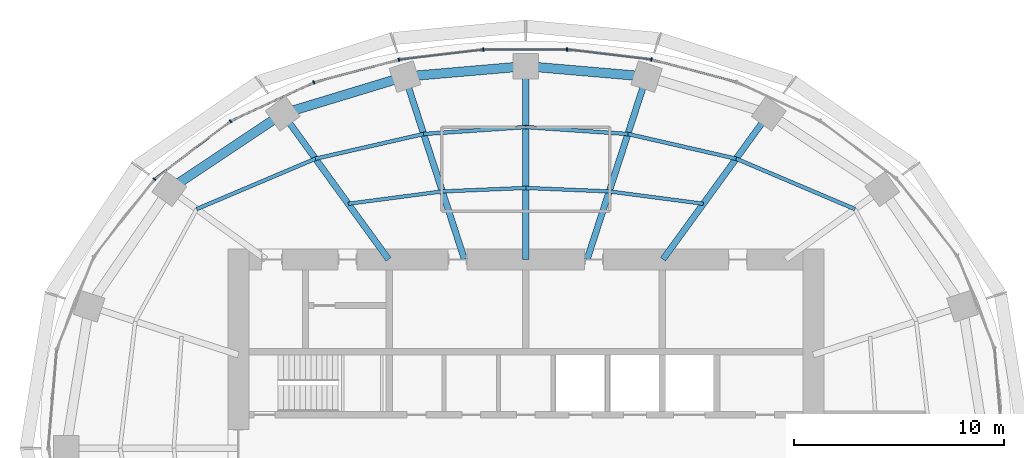
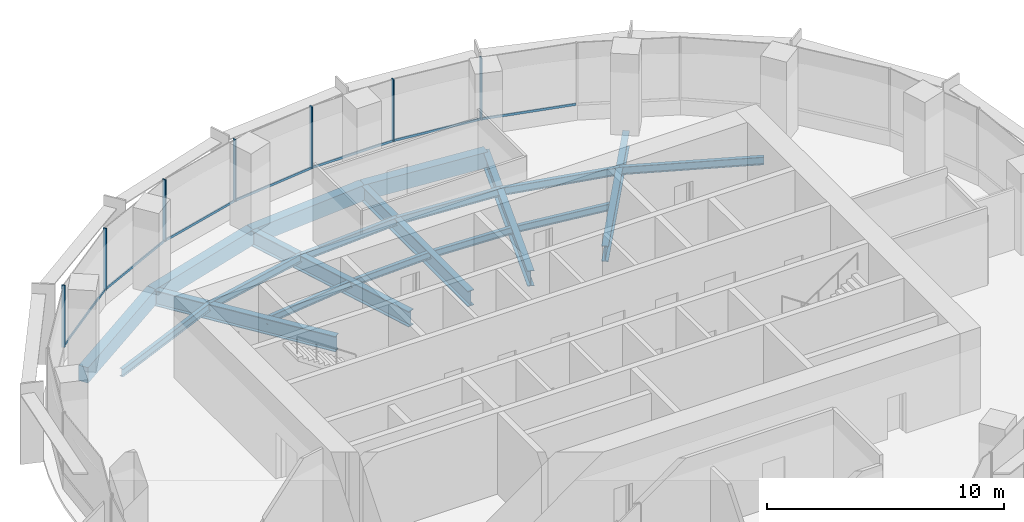
# One storey, part 6 of 13: 19 beams, 14 members, 2 elements without a shape of their own.
"""IFC4 building model written with IfcOpenShell, lengths in metres."""

from ifc_helpers import new_model, si_unit, direction, frame, origin, origin_2d, place, context, subcontext, project, spatial, rectangle, i_section, extrude, material, material_profile, profile_set, type_object, element, aggregate, save


model = new_model("IFC4")

# Units and contexts
model_context = context("Model", 3, precision=1e-05, world=origin(), true_north=direction((0.0, 1.0)))
body_context = subcontext(model_context, "Body", "Model", "MODEL_VIEW")
ifc_project = project(units=[si_unit("LENGTHUNIT", "METRE"), si_unit("AREAUNIT", "SQUARE_METRE"), si_unit("VOLUMEUNIT", "CUBIC_METRE"), si_unit("PLANEANGLEUNIT", "RADIAN"), si_unit("MASSUNIT", "GRAM", prefix="KILO")], contexts=[model_context])

# Site, building, storey
site_placement = place(None, origin())
site = spatial("IfcSite", under=ifc_project, at=site_placement, CompositionType="ELEMENT")
building_placement = place(site_placement, origin())
building = spatial("IfcBuilding", under=site, at=building_placement, Name="Marramba Exchange Tower", CompositionType="ELEMENT")
storey_placement = place(building_placement, frame((0.0, 0.0, 272.800048828125)))
storey = spatial("IfcBuildingStorey", under=building, at=storey_placement, Name="L66", CompositionType="ELEMENT", Elevation=272.800048828125)

# Curtain wall, members
ifc_material_1 = material(Name="Aluminium framing, bronze anodised", Category="aluminium")
curtain_wall_type = type_object("IfcCurtainWallType", Name="Executive floor ribbon curtain wall", PredefinedType="USERDEFINED", material=ifc_material_1)
curtain_wall_1_placement = place(storey_placement, origin())
curtain_wall_1 = element("IfcCurtainWall", 1, at=curtain_wall_1_placement, inside=storey, type_object=curtain_wall_type, Name="Curtain wall CW5 L66 F06-F10", ObjectType="RIBBON CURTAIN WALL", PredefinedType="USERDEFINED")
ifc_material_2 = material(Name="Aluminium mullion, bronze anodised", Category="aluminium")
ifc_material_profile_1 = material_profile(ifc_material_2, rectangle(XDim=0.159912109375, YDim=0.06005859375, at=origin_2d()), Name="CW5 mullion 60x160")
ifc_profile_set_1 = profile_set([ifc_material_profile_1], Name="Aluminium mullion, bronze anodised")
member_type_1 = type_object("IfcMemberType", Name="Executive floor ribbon curtain wall mullion", PredefinedType="MULLION", material=ifc_profile_set_1)
member_1_placement = place(storey_placement, frame((5.98681640625, 18.5205078125, 0.800048828125), z_axis=(0.0, 0.0, 1.0), x_axis=(-0.118556954505, -0.992947253654, 0.0)))
member_1 = element("IfcMember", 2, at=member_1_placement, type_object=member_type_1, Name="CW5 mullion 1", PredefinedType="MULLION", context=body_context, shape_type="SweptSolid", body=[
    extrude(rectangle(XDim=0.159912109375, YDim=0.06005859375, at=origin_2d()), origin(), (0.0, 0.0, 1.0), 3.199951171875),
])
member_2_placement = place(storey_placement, frame((1.966552734375, 18.9970703125, 0.800048828125), z_axis=(0.0, 0.0, 1.0), x_axis=(0.0, -1.0, 0.0)))
member_2 = element("IfcMember", 3, at=member_2_placement, type_object=member_type_1, Name="CW5 mullion 1", PredefinedType="MULLION", context=body_context, shape_type="SweptSolid", body=[
    extrude(rectangle(XDim=0.159912109375, YDim=0.06005859375, at=origin_2d()), origin(), (0.0, 0.0, 1.0), 3.199951171875),
])
member_3_placement = place(storey_placement, frame((-2.0263671875, 18.993408203125, 0.800048828125), z_axis=(0.0, 0.0, 1.0), x_axis=(0.118556954505, -0.992947253654, 0.0)))
member_3 = element("IfcMember", 4, at=member_3_placement, type_object=member_type_1, Name="CW5 mullion 1", PredefinedType="MULLION", context=body_context, shape_type="SweptSolid", body=[
    extrude(rectangle(XDim=0.159912109375, YDim=0.06005859375, at=origin_2d()), origin(), (0.0, 0.0, 1.0), 3.199951171875),
])
member_4_placement = place(storey_placement, frame((-6.045654296875, 18.50927734375, 0.800048828125), z_axis=(0.0, 0.0, 1.0), x_axis=(0.256125574813, -0.966643517501, 0.0)))
member_4 = element("IfcMember", 5, at=member_4_placement, type_object=member_type_1, Name="CW5 mullion 1", PredefinedType="MULLION", context=body_context, shape_type="SweptSolid", body=[
    extrude(rectangle(XDim=0.159912109375, YDim=0.06005859375, at=origin_2d()), origin(), (0.0, 0.0, 1.0), 3.199951171875),
])

curtain_wall_2_placement = place(storey_placement, origin())
curtain_wall_2 = element("IfcCurtainWall", 6, at=curtain_wall_2_placement, inside=storey, type_object=curtain_wall_type, Name="Curtain wall CW5 L66 F11-F15", ObjectType="RIBBON CURTAIN WALL", PredefinedType="USERDEFINED")
member_5_placement = place(storey_placement, frame((-10.097900390625, 17.43017578125, 0.800048828125), z_axis=(0.0, 0.0, 1.0), x_axis=(0.420849274712, -0.90713057934, 0.0)))
member_5 = element("IfcMember", 7, at=member_5_placement, type_object=member_type_1, Name="CW5 mullion 1", PredefinedType="MULLION", context=body_context, shape_type="SweptSolid", body=[
    extrude(rectangle(XDim=0.159912109375, YDim=0.06005859375, at=origin_2d()), origin(), (0.0, 0.0, 1.0), 3.199951171875),
])
member_6_placement = place(storey_placement, frame((-14.069091796875, 15.58056640625, 0.800048828125), z_axis=(0.0, 0.0, 1.0), x_axis=(0.605219156516, -0.796058900199, 0.0)))
member_6 = element("IfcMember", 8, at=member_6_placement, type_object=member_type_1, Name="CW5 mullion 1", PredefinedType="MULLION", context=body_context, shape_type="SweptSolid", body=[
    extrude(rectangle(XDim=0.159912109375, YDim=0.06005859375, at=origin_2d()), origin(), (0.0, 0.0, 1.0), 3.199951171875),
])
member_7_placement = place(storey_placement, frame((-17.69189453125, 12.81689453125, 0.800048828125), z_axis=(0.0, 0.0, 1.0), x_axis=(0.786002861604, -0.618222857512, 0.0)))
member_7 = element("IfcMember", 9, at=member_7_placement, type_object=member_type_1, Name="CW5 mullion 1", PredefinedType="MULLION", context=body_context, shape_type="SweptSolid", body=[
    extrude(rectangle(XDim=0.159912109375, YDim=0.06005859375, at=origin_2d()), origin(), (0.0, 0.0, 1.0), 3.199951171875),
])

# Member
ifc_material_3 = material(Name="Aluminium transom, bronze anodised", Category="aluminium")
ifc_material_profile_2 = material_profile(ifc_material_3, rectangle(XDim=0.06005859375, YDim=0.1201171875, at=origin_2d()), Name="CW5 transom 60x120")
ifc_profile_set_2 = profile_set([ifc_material_profile_2], Name="Aluminium transom, bronze anodised")
member_type_2 = type_object("IfcMemberType", Name="Executive floor ribbon curtain wall transom", PredefinedType="USERDEFINED", material=ifc_profile_set_2)
member_8_placement = place(storey_placement, frame((10.0126953125, 17.458251953125, 0.829833984375), z_axis=(-0.966642465832, 0.256129543885, 0.0), x_axis=(-0.256129543885, -0.966642465832, 0.0)))
member_8 = element("IfcMember", 10, at=member_8_placement, type_object=member_type_2, Name="CW5 sill transom", ObjectType="TRANSOM", PredefinedType="USERDEFINED", context=body_context, shape_type="SweptSolid", body=[
    extrude(rectangle(XDim=0.06005859375, YDim=0.1201171875, at=origin_2d()), origin(), (0.0, 0.0, 1.0), 4.134033203125),
])

member_9_placement = place(storey_placement, frame((5.95703125, 18.524169921875, 0.829833984375), z_axis=(-0.992946470513, 0.118563513339, 0.0), x_axis=(-0.118563513339, -0.992946470513, 0.0)))
member_9 = element("IfcMember", 11, at=member_9_placement, type_object=member_type_2, Name="CW5 sill transom", ObjectType="TRANSOM", PredefinedType="USERDEFINED", context=body_context, shape_type="SweptSolid", body=[
    extrude(rectangle(XDim=0.06005859375, YDim=0.1201171875, at=origin_2d()), origin(), (0.0, 0.0, 1.0), 3.988525390625),
])

member_10_placement = place(storey_placement, frame((1.936767578125, 18.9970703125, 0.829833984375), z_axis=(-1.0, 0.0, 0.0), x_axis=(0.0, -1.0, 0.0)))
member_10 = element("IfcMember", 12, at=member_10_placement, type_object=member_type_2, Name="CW5 sill transom", ObjectType="TRANSOM", PredefinedType="USERDEFINED", context=body_context, shape_type="SweptSolid", body=[
    extrude(rectangle(XDim=0.06005859375, YDim=0.1201171875, at=origin_2d()), origin(), (0.0, 0.0, 1.0), 3.933349609375),
])

member_11_placement = place(storey_placement, frame((-2.05615234375, 18.98974609375, 0.829833984375), z_axis=(-0.992953674799, -0.11850316326, 0.0), x_axis=(0.11850316326, -0.992953674799, 0.0)))
member_11 = element("IfcMember", 13, at=member_11_placement, type_object=member_type_2, Name="CW5 sill transom", ObjectType="TRANSOM", PredefinedType="USERDEFINED", context=body_context, shape_type="SweptSolid", body=[
    extrude(rectangle(XDim=0.06005859375, YDim=0.1201171875, at=origin_2d()), origin(), (0.0, 0.0, 1.0), 3.988525390625),
])

member_12_placement = place(storey_placement, frame((-6.074462890625, 18.501708984375, 0.829833984375), z_axis=(-0.966642465832, -0.256129543885, 0.0), x_axis=(0.256129543885, -0.966642465832, 0.0)))
member_12 = element("IfcMember", 14, at=member_12_placement, type_object=member_type_2, Name="CW5 sill transom", ObjectType="TRANSOM", PredefinedType="USERDEFINED", context=body_context, shape_type="SweptSolid", body=[
    extrude(rectangle(XDim=0.06005859375, YDim=0.1201171875, at=origin_2d()), origin(), (0.0, 0.0, 1.0), 4.134033203125),
])

aggregate(curtain_wall_1, [member_8, member_1, member_9, member_2, member_10, member_3, member_11, member_4, member_12])

member_13_placement = place(storey_placement, frame((-10.125, 17.41748046875, 0.829833984375), z_axis=(-0.907139165053, -0.420830767919, 0.0), x_axis=(0.420830767919, -0.907139165053, 0.0)))
member_13 = element("IfcMember", 15, at=member_13_placement, type_object=member_type_2, Name="CW5 sill transom", ObjectType="TRANSOM", PredefinedType="USERDEFINED", context=body_context, shape_type="SweptSolid", body=[
    extrude(rectangle(XDim=0.06005859375, YDim=0.1201171875, at=origin_2d()), origin(), (0.0, 0.0, 1.0), 4.321533203125),
])

member_14_placement = place(storey_placement, frame((-14.093017578125, 15.5625, 0.829833984375), z_axis=(-0.796068041642, -0.605207132374, 0.0), x_axis=(0.605207132374, -0.796068041642, 0.0)))
member_14 = element("IfcMember", 16, at=member_14_placement, type_object=member_type_2, Name="CW5 sill transom", ObjectType="TRANSOM", PredefinedType="USERDEFINED", context=body_context, shape_type="SweptSolid", body=[
    extrude(rectangle(XDim=0.06005859375, YDim=0.1201171875, at=origin_2d()), origin(), (0.0, 0.0, 1.0), 4.49755859375),
])

aggregate(curtain_wall_2, [member_5, member_13, member_6, member_14, member_7])

# Beams
ifc_material_4 = material(Name="Steel AS/NZS 3679.1 grade 300", Category="steel")
ifc_material_profile_3 = material_profile(ifc_material_4, i_section(OverallWidth=0.1708984375, OverallDepth=0.35595703125, WebThickness=0.00732421875, FlangeThickness=0.011474609375, FilletRadius=0.011474609375, at=origin_2d()), Name="360UB50.7")
ifc_profile_set_3 = profile_set([ifc_material_profile_3], Name="Steel AS/NZS 3679.1 grade 300")
beam_type_1 = type_object("IfcBeamType", Name="Floor joist 360UB50.7", PredefinedType="JOIST", material=ifc_profile_set_3)
beam_1_placement = place(storey_placement, frame((8.4619140625, 11.646728515625, -0.338134765625), z_axis=(-0.991480538255, 0.130254912618, 0.0), x_axis=(-0.130254912618, -0.991480538255, 0.0)))
element("IfcBeam", 17, at=beam_1_placement, inside=storey, type_object=beam_type_1, Name="Joist L66 bay 04 row 1", PredefinedType="JOIST", context=body_context, shape_type="SweptSolid", body=[
    extrude(i_section(OverallWidth=0.1708984375, OverallDepth=0.35595703125, WebThickness=0.00732421875, FlangeThickness=0.011474609375, FilletRadius=0.011474609375, at=origin_2d()), origin(), (0.0, 0.0, 1.0), 4.524658203125),
])
for number, where, z_axis, x_axis, name in (
    (18, (3.975830078125, 12.236083984375, -0.338134765625), (-0.999137002892, 0.041536122257, 0.0), (-0.041536122257, -0.999137002892, 0.0), "Joist L66 bay 05 row 1"),
    (19, (0.0, 12.4013671875, -0.338134765625), (-0.999137002892, -0.041536122257, 0.0), (0.041536122257, -0.999137002892, 0.0), "Joist L66 bay 06 row 1"),
):
    element("IfcBeam", number, at=place(storey_placement, frame(where, z_axis=z_axis, x_axis=x_axis)), inside=storey, type_object=beam_type_1, Name=name, PredefinedType="JOIST", context=body_context, shape_type="SweptSolid", body=[
        extrude(i_section(OverallWidth=0.1708984375, OverallDepth=0.35595703125, WebThickness=0.00732421875, FlangeThickness=0.011474609375, FilletRadius=0.011474609375, at=origin_2d()), origin(), (0.0, 0.0, 1.0), 3.979248046875),
    ])
beam_2_placement = place(storey_placement, frame((-3.975830078125, 12.236083984375, -0.338134765625), z_axis=(-0.991480538255, -0.130254912618, 0.0), x_axis=(0.130254912618, -0.991480538255, 0.0)))
element("IfcBeam", 20, at=beam_2_placement, inside=storey, type_object=beam_type_1, Name="Joist L66 bay 07 row 1", PredefinedType="JOIST", context=body_context, shape_type="SweptSolid", body=[
    extrude(i_section(OverallWidth=0.1708984375, OverallDepth=0.35595703125, WebThickness=0.00732421875, FlangeThickness=0.011474609375, FilletRadius=0.011474609375, at=origin_2d()), origin(), (0.0, 0.0, 1.0), 4.524658203125),
])
ifc_material_profile_4 = material_profile(ifc_material_4, i_section(OverallWidth=0.177978515625, OverallDepth=0.403076171875, WebThickness=0.007568359375, FlangeThickness=0.010986328125, FilletRadius=0.011474609375, at=origin_2d()), Name="410UB53.7")
ifc_profile_set_4 = profile_set([ifc_material_profile_4], Name="Steel AS/NZS 3679.1 grade 300")
beam_type_2 = type_object("IfcBeamType", Name="Floor joist 410UB53.7", PredefinedType="JOIST", material=ifc_profile_set_4)
beam_3_placement = place(storey_placement, frame((15.682373046875, 11.393798828125, -0.361572265625), z_axis=(-0.920674336375, 0.390331610738, 0.0), x_axis=(-0.390331610738, -0.920674336375, 0.0)))
element("IfcBeam", 21, at=beam_3_placement, inside=storey, type_object=beam_type_2, Name="Joist L66 bay 03 row 2", PredefinedType="JOIST", context=body_context, shape_type="SweptSolid", body=[
    extrude(i_section(OverallWidth=0.177978515625, OverallDepth=0.403076171875, WebThickness=0.007568359375, FlangeThickness=0.010986328125, FilletRadius=0.011474609375, at=origin_2d()), origin(), (0.0, 0.0, 1.0), 6.1484375),
])
beam_4_placement = place(storey_placement, frame((10.021728515625, 13.793701171875, -0.361572265625), z_axis=(-0.974859652292, 0.222819788916, 0.0), x_axis=(-0.222819788916, -0.974859652292, 0.0)))
element("IfcBeam", 22, at=beam_4_placement, inside=storey, type_object=beam_type_2, Name="Joist L66 bay 04 row 2", PredefinedType="JOIST", context=body_context, shape_type="SweptSolid", body=[
    extrude(i_section(OverallWidth=0.177978515625, OverallDepth=0.403076171875, WebThickness=0.007568359375, FlangeThickness=0.010986328125, FilletRadius=0.011474609375, at=origin_2d()), origin(), (0.0, 0.0, 1.0), 5.2900390625),
])
for number, where, z_axis, x_axis, name in (
    (23, (4.86474609375, 14.972412109375, -0.361572265625), (-0.997702652202, 0.067745241816, 0.0), (-0.067745241816, -0.997702652202, 0.0), "Joist L66 bay 05 row 2"),
    (24, (0.0, 15.302734375, -0.361572265625), (-0.997702652202, -0.067745241816, 0.0), (0.067745241816, -0.997702652202, 0.0), "Joist L66 bay 06 row 2"),
):
    element("IfcBeam", number, at=place(storey_placement, frame(where, z_axis=z_axis, x_axis=x_axis)), inside=storey, type_object=beam_type_2, Name=name, PredefinedType="JOIST", context=body_context, shape_type="SweptSolid", body=[
        extrude(i_section(OverallWidth=0.177978515625, OverallDepth=0.403076171875, WebThickness=0.007568359375, FlangeThickness=0.010986328125, FilletRadius=0.011474609375, at=origin_2d()), origin(), (0.0, 0.0, 1.0), 4.8759765625),
    ])
beam_5_placement = place(storey_placement, frame((-4.86474609375, 14.972412109375, -0.361572265625), z_axis=(-0.974859652292, -0.222819788916, 0.0), x_axis=(0.222819788916, -0.974859652292, 0.0)))
element("IfcBeam", 25, at=beam_5_placement, inside=storey, type_object=beam_type_2, Name="Joist L66 bay 07 row 2", PredefinedType="JOIST", context=body_context, shape_type="SweptSolid", body=[
    extrude(i_section(OverallWidth=0.177978515625, OverallDepth=0.403076171875, WebThickness=0.007568359375, FlangeThickness=0.010986328125, FilletRadius=0.011474609375, at=origin_2d()), origin(), (0.0, 0.0, 1.0), 5.2900390625),
])
beam_6_placement = place(storey_placement, frame((-10.021728515625, 13.793701171875, -0.361572265625), z_axis=(-0.920674336375, -0.390331610738, 0.0), x_axis=(0.390331610738, -0.920674336375, 0.0)))
element("IfcBeam", 26, at=beam_6_placement, inside=storey, type_object=beam_type_2, Name="Joist L66 bay 08 row 2", PredefinedType="JOIST", context=body_context, shape_type="SweptSolid", body=[
    extrude(i_section(OverallWidth=0.177978515625, OverallDepth=0.403076171875, WebThickness=0.007568359375, FlangeThickness=0.010986328125, FilletRadius=0.011474609375, at=origin_2d()), origin(), (0.0, 0.0, 1.0), 6.1484375),
])
ifc_material_5 = material(Name="Steel AS/NZS 3679.2 grade 300", Category="steel")
ifc_material_profile_5 = material_profile(ifc_material_5, i_section(OverallWidth=0.300048828125, OverallDepth=0.800048828125, WebThickness=0.013916015625, FlangeThickness=0.031982421875, at=origin_2d()), Name="800WB192")
ifc_profile_set_5 = profile_set([ifc_material_profile_5], Name="Steel AS/NZS 3679.2 grade 300")
beam_type_3 = type_object("IfcBeamType", Name="Radial girder 800WB192", PredefinedType="BEAM", material=ifc_profile_set_5)
beam_7_placement = place(storey_placement, frame((6.538818359375, 9.0, -0.56005859375), z_axis=(0.587782439969, 0.80901903764, 0.0), x_axis=(-0.80901903764, 0.587782439969, 0.0)))
element("IfcBeam", 27, at=beam_7_placement, inside=storey, type_object=beam_type_3, Name="Radial girder L66 TC04", PredefinedType="BEAM", context=body_context, shape_type="SweptSolid", body=[
    extrude(i_section(OverallWidth=0.300048828125, OverallDepth=0.800048828125, WebThickness=0.013916015625, FlangeThickness=0.031982421875, at=origin_2d()), origin(), (0.0, 0.0, 1.0), 8.578857421875),
])
beam_8_placement = place(storey_placement, frame((2.92431640625, 9.0, -0.56005859375), z_axis=(0.309019754162, 0.951055619582, 0.0), x_axis=(-0.951055619582, 0.309019754162, 0.0)))
element("IfcBeam", 28, at=beam_8_placement, inside=storey, type_object=beam_type_3, Name="Radial girder L66 TC05", PredefinedType="BEAM", context=body_context, shape_type="SweptSolid", body=[
    extrude(i_section(OverallWidth=0.300048828125, OverallDepth=0.800048828125, WebThickness=0.013916015625, FlangeThickness=0.031982421875, at=origin_2d()), origin(), (0.0, 0.0, 1.0), 9.15673828125),
])
beam_9_placement = place(storey_placement, frame((0.0, 9.0, -0.56005859375), z_axis=(0.0, 1.0, 0.0), x_axis=(-1.0, 0.0, 0.0)))
element("IfcBeam", 29, at=beam_9_placement, inside=storey, type_object=beam_type_3, Name="Radial girder L66 TC06", PredefinedType="BEAM", context=body_context, shape_type="SweptSolid", body=[
    extrude(i_section(OverallWidth=0.300048828125, OverallDepth=0.800048828125, WebThickness=0.013916015625, FlangeThickness=0.031982421875, at=origin_2d()), origin(), (0.0, 0.0, 1.0), 9.2041015625),
])
beam_10_placement = place(storey_placement, frame((-2.92431640625, 9.0, -0.56005859375), z_axis=(-0.309019754162, 0.951055619582, 0.0), x_axis=(-0.951055619582, -0.309019754162, 0.0)))
element("IfcBeam", 30, at=beam_10_placement, inside=storey, type_object=beam_type_3, Name="Radial girder L66 TC07", PredefinedType="BEAM", context=body_context, shape_type="SweptSolid", body=[
    extrude(i_section(OverallWidth=0.300048828125, OverallDepth=0.800048828125, WebThickness=0.013916015625, FlangeThickness=0.031982421875, at=origin_2d()), origin(), (0.0, 0.0, 1.0), 9.15673828125),
])
beam_11_placement = place(storey_placement, frame((-6.538818359375, 9.0, -0.56005859375), z_axis=(-0.587782439969, 0.80901903764, 0.0), x_axis=(-0.80901903764, -0.587782439969, 0.0)))
element("IfcBeam", 31, at=beam_11_placement, inside=storey, type_object=beam_type_3, Name="Radial girder L66 TC08", PredefinedType="BEAM", context=body_context, shape_type="SweptSolid", body=[
    extrude(i_section(OverallWidth=0.300048828125, OverallDepth=0.800048828125, WebThickness=0.013916015625, FlangeThickness=0.031982421875, at=origin_2d()), origin(), (0.0, 0.0, 1.0), 8.578857421875),
])
ifc_material_6 = material(Name="Concrete N50", Category="concrete")
ifc_material_profile_6 = material_profile(ifc_material_6, rectangle(XDim=0.449951171875, YDim=0.800048828125, at=origin_2d()), Name="RC 450x800")
ifc_profile_set_6 = profile_set([ifc_material_profile_6], Name="Concrete N50")
beam_type_4 = type_object("IfcBeamType", Name="Ring beam RC 450x800 N50", PredefinedType="SPANDREL", material=ifc_profile_set_6)
for number, where, z_axis, x_axis, name in (
    (32, (5.75390625, 17.70849609375, -0.56005859375), (-0.996311003275, 0.085815993578, 0.0), (-0.085815993578, -0.996311003275, 0.0), "Ring beam L66 TC05-TC06"),
    (33, (0.0, 18.2041015625, -0.56005859375), (-0.996311003275, -0.085815993578, 0.0), (0.085815993578, -0.996311003275, 0.0), "Ring beam L66 TC06-TC07"),
):
    element("IfcBeam", number, at=place(storey_placement, frame(where, z_axis=z_axis, x_axis=x_axis)), inside=storey, type_object=beam_type_4, Name=name, PredefinedType="SPANDREL", context=body_context, shape_type="SweptSolid", body=[
        extrude(rectangle(XDim=0.449951171875, YDim=0.800048828125, at=origin_2d()), origin(), (0.0, 0.0, 1.0), 5.775146484375),
    ])
beam_12_placement = place(storey_placement, frame((-5.75390625, 17.70849609375, -0.56005859375), z_axis=(-0.956924542524, -0.290336735387, 0.0), x_axis=(0.290336735387, -0.956924542524, 0.0)))
element("IfcBeam", 34, at=beam_12_placement, inside=storey, type_object=beam_type_4, Name="Ring beam L66 TC07-TC08", PredefinedType="SPANDREL", context=body_context, shape_type="SweptSolid", body=[
    extrude(rectangle(XDim=0.449951171875, YDim=0.800048828125, at=origin_2d()), origin(), (0.0, 0.0, 1.0), 6.089599609375),
])
beam_13_placement = place(storey_placement, frame((-11.581298828125, 15.9404296875, -0.56005859375), z_axis=(-0.832293151443, -0.554335737673, 0.0), x_axis=(0.554335737673, -0.832293151443, 0.0)))
element("IfcBeam", 35, at=beam_13_placement, inside=storey, type_object=beam_type_4, Name="Ring beam L66 TC08-TC09", PredefinedType="SPANDREL", context=body_context, shape_type="SweptSolid", body=[
    extrude(rectangle(XDim=0.449951171875, YDim=0.800048828125, at=origin_2d()), origin(), (0.0, 0.0, 1.0), 6.49365234375),
])

save(model, "model.ifc")
